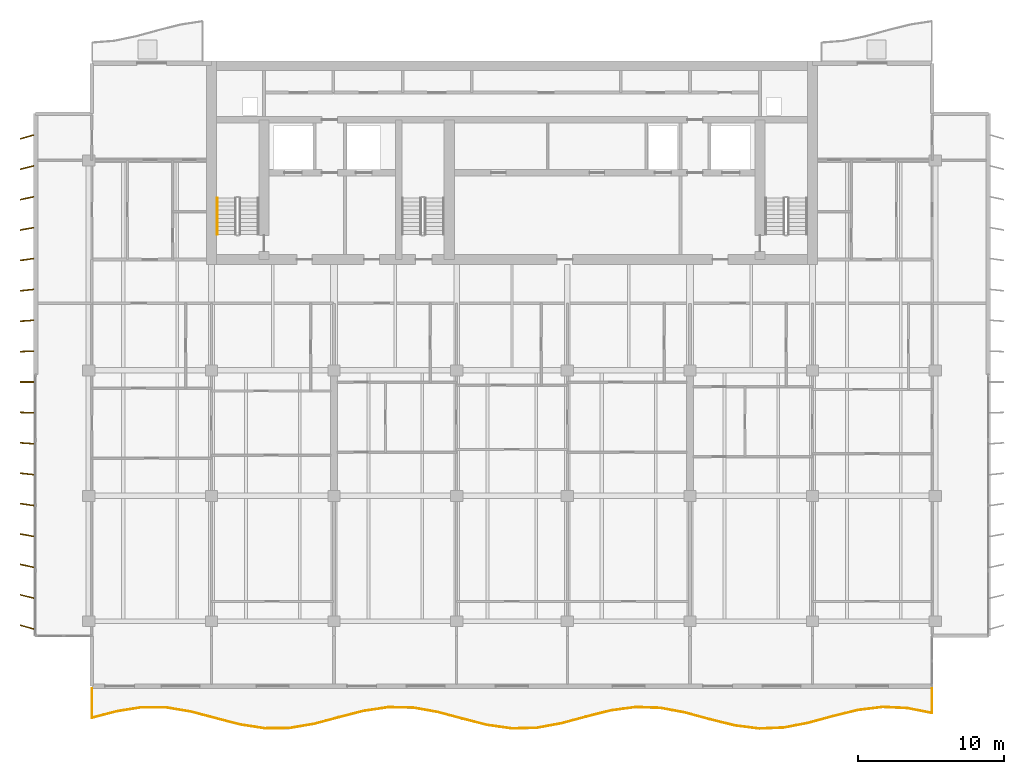
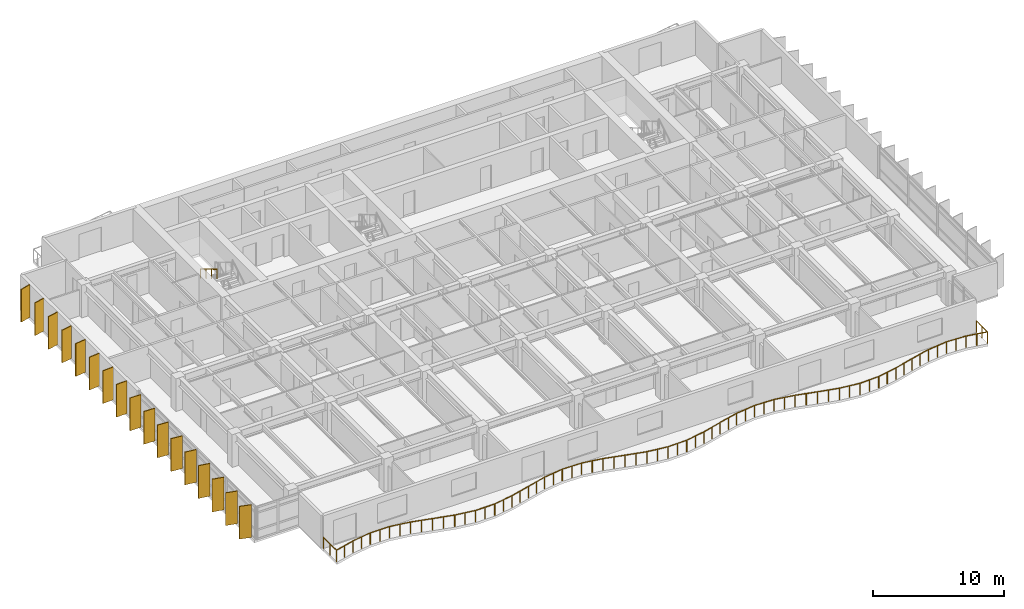
# One storey, part 14 of 17: 17 shading devices, 2 railings.
"""IFC4 building model written with IfcOpenShell, lengths in metres."""

from ifc_helpers import new_model, si_unit, direction, frame, origin, origin_2d, place, context, subcontext, project, spatial, rectangle, circle, extrude, material, material_profile, profile_set, type_object, element, save


model = new_model("IFC4")

# Units and contexts
model_context = context("Model", 3, precision=1e-05, world=origin(), true_north=direction((0.0, 1.0)))
body_context = subcontext(model_context, "Body", "Model", "MODEL_VIEW")
ifc_project = project(units=[si_unit("LENGTHUNIT", "METRE"), si_unit("AREAUNIT", "SQUARE_METRE"), si_unit("VOLUMEUNIT", "CUBIC_METRE"), si_unit("PLANEANGLEUNIT", "RADIAN"), si_unit("MASSUNIT", "GRAM", prefix="KILO")], contexts=[model_context])

# Site, building, storey
site_placement = place(None, origin())
site = spatial("IfcSite", under=ifc_project, at=site_placement, CompositionType="ELEMENT")
building_placement = place(site_placement, origin())
building = spatial("IfcBuilding", under=site, at=building_placement, Name="Caelmar Bay Residences", CompositionType="ELEMENT")
storey_placement = place(building_placement, frame((0.0, 0.0, 208.199951171875)))
storey = spatial("IfcBuildingStorey", under=building, at=storey_placement, Name="L58", CompositionType="ELEMENT", Elevation=208.199951171875)

# Railings
ifc_material_1 = material(Name="Anodised bronze handrail with laminated hurricane glass infill", Category="glass")
railing_type_1 = type_object("IfcRailingType", Name="RL-BAL-1100", PredefinedType="BALUSTRADE", material=ifc_material_1)
railing_1_placement = place(storey_placement, frame((10.10009765625, 7.60009765625, 0.0)))
element("IfcRailing", 1, at=railing_1_placement, inside=storey, type_object=railing_type_1, Name="L58 south Balcony Balustrade", PredefinedType="BALUSTRADE", context=body_context, shape_type="SweptSolid", body=[
    extrude(circle(Radius=0.02392578125, at=origin_2d()), frame((0.0, 0.0, 1.076171875), z_axis=(0.0, -1.0, 0.0), x_axis=(1.0, 0.0, 0.0)), (0.0, 0.0, 1.0), 2.02001953125),
    extrude(circle(Radius=0.02392578125, at=origin_2d()), frame((0.0, -2.02001953125, 1.076171875), z_axis=(0.967350254707, 0.253443257394, 0.0), x_axis=(-0.253443257394, 0.967350254707, 0.0)), (0.0, 0.0, 1.0), 1.751220703125),
    extrude(circle(Radius=0.02392578125, at=origin_2d()), frame((1.694091796875, -1.576171875, 1.076171875), z_axis=(0.987379289036, 0.158373418172, 0.0), x_axis=(-0.158373418172, 0.987379289036, 0.0)), (0.0, 0.0, 1.0), 1.7158203125),
    extrude(circle(Radius=0.02392578125, at=origin_2d()), frame((3.38818359375, -1.304443359375, 1.076171875), z_axis=(0.999993509891, -0.003602801232, 0.0), x_axis=(0.003602801232, 0.999993509891, 0.0)), (0.0, 0.0, 1.0), 1.694091796875),
    extrude(circle(Radius=0.02392578125, at=origin_2d()), frame((5.082275390625, -1.310546875, 1.076171875), z_axis=(0.986451495843, -0.164053181467, 0.0), x_axis=(0.164053181467, 0.986451495843, 0.0)), (0.0, 0.0, 1.0), 1.71728515625),
    extrude(circle(Radius=0.02392578125, at=origin_2d()), frame((6.7763671875, -1.59228515625, 1.076171875), z_axis=(0.966835874716, -0.255398495223, 0.0), x_axis=(0.255398495223, 0.966835874716, 0.0)), (0.0, 0.0, 1.0), 1.752197265625),
    extrude(circle(Radius=0.02392578125, at=origin_2d()), frame((8.470458984375, -2.039794921875, 1.076171875), z_axis=(0.967861219829, -0.251484908395, 0.0), x_axis=(0.251484908395, 0.967861219829, 0.0)), (0.0, 0.0, 1.0), 1.750244140625),
    extrude(circle(Radius=0.02392578125, at=origin_2d()), frame((10.16455078125, -2.47998046875, 1.076171875), z_axis=(0.988297485598, -0.152538781824, 0.0), x_axis=(0.152538781824, 0.988297485598, 0.0)), (0.0, 0.0, 1.0), 1.714111328125),
    extrude(circle(Radius=0.02392578125, at=origin_2d()), frame((11.858642578125, -2.741455078125, 1.076171875), z_axis=(0.999940025817, 0.010951929956, 0.0), x_axis=(-0.010951929956, 0.999940025817, 0.0)), (0.0, 0.0, 1.0), 1.694091796875),
    extrude(circle(Radius=0.02392578125, at=origin_2d()), frame((13.552734375, -2.722900390625, 1.076171875), z_axis=(0.985544445264, 0.169417078271, 0.0), x_axis=(-0.169417078271, 0.985544445264, 0.0)), (0.0, 0.0, 1.0), 1.71923828125),
    extrude(circle(Radius=0.02392578125, at=origin_2d()), frame((15.2470703125, -2.431640625, 1.076171875), z_axis=(0.966318097906, 0.257350604544, 0.0), x_axis=(-0.257350604544, 0.966318097906, 0.0)), (0.0, 0.0, 1.0), 1.753173828125),
    extrude(circle(Radius=0.02392578125, at=origin_2d()), frame((16.941162109375, -1.98046875, 1.076171875), z_axis=(0.968469845036, 0.249130807521, 0.0), x_axis=(-0.249130807521, 0.968469845036, 0.0)), (0.0, 0.0, 1.0), 1.749267578125),
    extrude(circle(Radius=0.02392578125, at=origin_2d()), frame((18.63525390625, -1.544677734375, 1.076171875), z_axis=(0.989203462354, 0.146548661089, 0.0), x_axis=(-0.146548661089, 0.989203462354, 0.0)), (0.0, 0.0, 1.0), 1.712646484375),
    extrude(circle(Radius=0.02392578125, at=origin_2d()), frame((20.329345703125, -1.293701171875, 1.076171875), z_axis=(0.999835179989, -0.018155243216, 0.0), x_axis=(0.018155243216, 0.999835179989, 0.0)), (0.0, 0.0, 1.0), 1.6943359375),
    extrude(circle(Radius=0.02392578125, at=origin_2d()), frame((22.0234375, -1.324462890625, 1.076171875), z_axis=(0.98460160759, -0.174813255592, 0.0), x_axis=(0.174813255592, 0.98460160759, 0.0)), (0.0, 0.0, 1.0), 1.720703125),
    extrude(circle(Radius=0.02392578125, at=origin_2d()), frame((23.717529296875, -1.625244140625, 1.076171875), z_axis=(0.96590144292, -0.258910027934, 0.0), x_axis=(0.258910027934, 0.96590144292, 0.0)), (0.0, 0.0, 1.0), 1.75390625),
    extrude(circle(Radius=0.02392578125, at=origin_2d()), frame((25.41162109375, -2.079345703125, 1.076171875), z_axis=(0.969106885695, -0.246641124101, 0.0), x_axis=(0.246641124101, 0.969106885695, 0.0)), (0.0, 0.0, 1.0), 1.748046875),
    extrude(circle(Radius=0.02392578125, at=origin_2d()), frame((27.105712890625, -2.510498046875, 1.076171875), z_axis=(0.990054800784, -0.140682235707, 0.0), x_axis=(0.140682235707, 0.990054800784, 0.0)), (0.0, 0.0, 1.0), 1.711181640625),
    extrude(circle(Radius=0.02392578125, at=origin_2d()), frame((28.7998046875, -2.751220703125, 1.076171875), z_axis=(0.999678491779, 0.025355730588, 0.0), x_axis=(-0.025355730588, 0.999678491779, 0.0)), (0.0, 0.0, 1.0), 1.694580078125),
    extrude(circle(Radius=0.02392578125, at=origin_2d()), frame((30.493896484375, -2.708251953125, 1.076171875), z_axis=(0.983635459479, 0.180170149733, 0.0), x_axis=(-0.180170149733, 0.983635459479, 0.0)), (0.0, 0.0, 1.0), 1.72216796875),
    extrude(circle(Radius=0.02392578125, at=origin_2d()), frame((32.18798828125, -2.39794921875, 1.076171875), z_axis=(0.965492072584, 0.260432443786, 0.0), x_axis=(-0.260432443786, 0.965492072584, 0.0)), (0.0, 0.0, 1.0), 1.7548828125),
    extrude(circle(Radius=0.02392578125, at=origin_2d()), frame((33.88232421875, -1.94091796875, 1.076171875), z_axis=(0.969804491573, 0.243883677446, 0.0), x_axis=(-0.243883677446, 0.969804491573, 0.0)), (0.0, 0.0, 1.0), 1.746826171875),
    extrude(circle(Radius=0.02392578125, at=origin_2d()), frame((35.576416015625, -1.514892578125, 1.076171875), z_axis=(0.990910806359, 0.134520533159, 0.0), x_axis=(-0.134520533159, 0.990910806359, 0.0)), (0.0, 0.0, 1.0), 1.709716796875),
    extrude(circle(Radius=0.02392578125, at=origin_2d()), frame((37.2705078125, -1.284912109375, 1.076171875), z_axis=(0.999470034304, -0.032552273779, 0.0), x_axis=(0.032552273779, 0.999470034304, 0.0)), (0.0, 0.0, 1.0), 1.695068359375),
    extrude(circle(Radius=0.02392578125, at=origin_2d()), frame((38.964599609375, -1.340087890625, 1.076171875), z_axis=(0.982693769792, -0.185237563177, 0.0), x_axis=(0.185237563177, 0.982693769792, 0.0)), (0.0, 0.0, 1.0), 1.723876953125),
    extrude(circle(Radius=0.02392578125, at=origin_2d()), frame((40.65869140625, -1.659423828125, 1.076171875), z_axis=(0.965131990185, -0.261763713147, 0.0), x_axis=(0.261763713147, 0.965131990185, 0.0)), (0.0, 0.0, 1.0), 1.75537109375),
    extrude(circle(Radius=0.02392578125, at=origin_2d()), frame((42.352783203125, -2.118896484375, 1.076171875), z_axis=(0.970503363819, -0.241087579139, 0.0), x_axis=(0.241087579139, 0.970503363819, 0.0)), (0.0, 0.0, 1.0), 1.745849609375),
    extrude(circle(Radius=0.02392578125, at=origin_2d()), frame((44.047119140625, -2.539794921875, 1.076171875), z_axis=(0.991729815207, -0.128343186923, 0.0), x_axis=(0.128343186923, 0.991729815207, 0.0)), (0.0, 0.0, 1.0), 1.708251953125),
    extrude(circle(Radius=0.02392578125, at=origin_2d()), frame((45.7412109375, -2.759033203125, 1.076171875), z_axis=(0.999204175887, 0.03988752799, 0.0), x_axis=(-0.03988752799, 0.999204175887, 0.0)), (0.0, 0.0, 1.0), 1.695556640625),
    extrude(circle(Radius=0.02392578125, at=origin_2d()), frame((47.435302734375, -2.69140625, 1.076171875), z_axis=(0.981754298051, 0.19015388047, 0.0), x_axis=(-0.19015388047, 0.981754298051, 0.0)), (0.0, 0.0, 1.0), 1.7255859375),
    extrude(circle(Radius=0.02392578125, at=origin_2d()), frame((49.12939453125, -2.36328125, 1.076171875), z_axis=(0.964850406209, 0.262799721535, 0.0), x_axis=(-0.262799721535, 0.964850406209, 0.0)), (0.0, 0.0, 1.0), 1.755859375),
    extrude(circle(Radius=0.02392578125, at=origin_2d()), frame((50.823486328125, -1.90185546875, 1.076171875), z_axis=(0.971211455087, 0.238219036829, 0.0), x_axis=(-0.238219036829, 0.971211455087, 0.0)), (0.0, 0.0, 1.0), 1.744384765625),
    extrude(circle(Radius=0.02392578125, at=origin_2d()), frame((52.517578125, -1.486328125, 1.076171875), z_axis=(0.992528875656, 0.122009962665, 0.0), x_axis=(-0.122009962665, 0.992528875656, 0.0)), (0.0, 0.0, 1.0), 1.706787109375),
    extrude(circle(Radius=0.02392578125, at=origin_2d()), frame((54.211669921875, -1.278076171875, 1.076171875), z_axis=(0.998891465735, -0.04707270634, 0.0), x_axis=(0.04707270634, 0.998891465735, 0.0)), (0.0, 0.0, 1.0), 1.696044921875),
    extrude(circle(Radius=0.02392578125, at=origin_2d()), frame((55.90576171875, -1.35791015625, 1.076171875), z_axis=(0.980819151904, -0.194919961158, 0.0), x_axis=(0.194919961158, 0.980819151904, 0.0)), (0.0, 0.0, 1.0), 1.727294921875),
    extrude(circle(Radius=0.02392578125, at=origin_2d()), frame((57.599853515625, -1.694580078125, 1.076171875), z_axis=(0.0, 1.0, 0.0), x_axis=(-1.0, 0.0, 0.0)), (0.0, 0.0, 1.0), 1.694580078125),
    extrude(circle(Radius=0.02099609375, at=origin_2d()), origin(), (0.0, 0.0, 1.0), 1.052001953125),
    extrude(circle(Radius=0.02099609375, at=origin_2d()), frame((0.0, -1.010009765625, 0.0)), (0.0, 0.0, 1.0), 1.052001953125),
    extrude(circle(Radius=0.02099609375, at=origin_2d()), frame((0.0, -2.02001953125, 0.0)), (0.0, 0.0, 1.0), 1.052001953125),
    extrude(circle(Radius=0.02099609375, at=origin_2d()), frame((0.84716796875, -1.798095703125, 0.0)), (0.0, 0.0, 1.0), 1.052001953125),
    extrude(circle(Radius=0.02099609375, at=origin_2d()), frame((1.694091796875, -1.576171875, 0.0)), (0.0, 0.0, 1.0), 1.052001953125),
    extrude(circle(Radius=0.02099609375, at=origin_2d()), frame((2.541015625, -1.4404296875, 0.0)), (0.0, 0.0, 1.0), 1.052001953125),
    extrude(circle(Radius=0.02099609375, at=origin_2d()), frame((3.38818359375, -1.304443359375, 0.0)), (0.0, 0.0, 1.0), 1.052001953125),
    extrude(circle(Radius=0.02099609375, at=origin_2d()), frame((4.2353515625, -1.3076171875, 0.0)), (0.0, 0.0, 1.0), 1.052001953125),
    extrude(circle(Radius=0.02099609375, at=origin_2d()), frame((5.082275390625, -1.310546875, 0.0)), (0.0, 0.0, 1.0), 1.052001953125),
    extrude(circle(Radius=0.02099609375, at=origin_2d()), frame((5.92919921875, -1.451416015625, 0.0)), (0.0, 0.0, 1.0), 1.052001953125),
    extrude(circle(Radius=0.02099609375, at=origin_2d()), frame((6.7763671875, -1.59228515625, 0.0)), (0.0, 0.0, 1.0), 1.052001953125),
    extrude(circle(Radius=0.02099609375, at=origin_2d()), frame((7.62353515625, -1.81591796875, 0.0)), (0.0, 0.0, 1.0), 1.052001953125),
    extrude(circle(Radius=0.02099609375, at=origin_2d()), frame((8.470458984375, -2.039794921875, 0.0)), (0.0, 0.0, 1.0), 1.052001953125),
    extrude(circle(Radius=0.02099609375, at=origin_2d()), frame((9.3173828125, -2.259765625, 0.0)), (0.0, 0.0, 1.0), 1.052001953125),
    extrude(circle(Radius=0.02099609375, at=origin_2d()), frame((10.16455078125, -2.47998046875, 0.0)), (0.0, 0.0, 1.0), 1.052001953125),
    extrude(circle(Radius=0.02099609375, at=origin_2d()), frame((11.01171875, -2.61083984375, 0.0)), (0.0, 0.0, 1.0), 1.052001953125),
    extrude(circle(Radius=0.02099609375, at=origin_2d()), frame((11.858642578125, -2.741455078125, 0.0)), (0.0, 0.0, 1.0), 1.052001953125),
    extrude(circle(Radius=0.02099609375, at=origin_2d()), frame((12.70556640625, -2.732177734375, 0.0)), (0.0, 0.0, 1.0), 1.052001953125),
    extrude(circle(Radius=0.02099609375, at=origin_2d()), frame((13.552734375, -2.722900390625, 0.0)), (0.0, 0.0, 1.0), 1.052001953125),
    extrude(circle(Radius=0.02099609375, at=origin_2d()), frame((14.39990234375, -2.5771484375, 0.0)), (0.0, 0.0, 1.0), 1.052001953125),
    extrude(circle(Radius=0.02099609375, at=origin_2d()), frame((15.2470703125, -2.431640625, 0.0)), (0.0, 0.0, 1.0), 1.052001953125),
    extrude(circle(Radius=0.02099609375, at=origin_2d()), frame((16.09423828125, -2.2060546875, 0.0)), (0.0, 0.0, 1.0), 1.052001953125),
    extrude(circle(Radius=0.02099609375, at=origin_2d()), frame((16.941162109375, -1.98046875, 0.0)), (0.0, 0.0, 1.0), 1.052001953125),
    extrude(circle(Radius=0.02099609375, at=origin_2d()), frame((17.7880859375, -1.7626953125, 0.0)), (0.0, 0.0, 1.0), 1.052001953125),
    extrude(circle(Radius=0.02099609375, at=origin_2d()), frame((18.63525390625, -1.544677734375, 0.0)), (0.0, 0.0, 1.0), 1.052001953125),
    extrude(circle(Radius=0.02099609375, at=origin_2d()), frame((19.482421875, -1.419189453125, 0.0)), (0.0, 0.0, 1.0), 1.052001953125),
    extrude(circle(Radius=0.02099609375, at=origin_2d()), frame((20.329345703125, -1.293701171875, 0.0)), (0.0, 0.0, 1.0), 1.052001953125),
    extrude(circle(Radius=0.02099609375, at=origin_2d()), frame((21.17626953125, -1.30908203125, 0.0)), (0.0, 0.0, 1.0), 1.052001953125),
    extrude(circle(Radius=0.02099609375, at=origin_2d()), frame((22.0234375, -1.324462890625, 0.0)), (0.0, 0.0, 1.0), 1.052001953125),
    extrude(circle(Radius=0.02099609375, at=origin_2d()), frame((22.87060546875, -1.474853515625, 0.0)), (0.0, 0.0, 1.0), 1.052001953125),
    extrude(circle(Radius=0.02099609375, at=origin_2d()), frame((23.717529296875, -1.625244140625, 0.0)), (0.0, 0.0, 1.0), 1.052001953125),
    extrude(circle(Radius=0.02099609375, at=origin_2d()), frame((24.564453125, -1.852294921875, 0.0)), (0.0, 0.0, 1.0), 1.052001953125),
    extrude(circle(Radius=0.02099609375, at=origin_2d()), frame((25.41162109375, -2.079345703125, 0.0)), (0.0, 0.0, 1.0), 1.052001953125),
    extrude(circle(Radius=0.02099609375, at=origin_2d()), frame((26.2587890625, -2.294921875, 0.0)), (0.0, 0.0, 1.0), 1.052001953125),
    extrude(circle(Radius=0.02099609375, at=origin_2d()), frame((27.105712890625, -2.510498046875, 0.0)), (0.0, 0.0, 1.0), 1.052001953125),
    extrude(circle(Radius=0.02099609375, at=origin_2d()), frame((27.95263671875, -2.630859375, 0.0)), (0.0, 0.0, 1.0), 1.052001953125),
    extrude(circle(Radius=0.02099609375, at=origin_2d()), frame((28.7998046875, -2.751220703125, 0.0)), (0.0, 0.0, 1.0), 1.052001953125),
    extrude(circle(Radius=0.02099609375, at=origin_2d()), frame((29.64697265625, -2.729736328125, 0.0)), (0.0, 0.0, 1.0), 1.052001953125),
    extrude(circle(Radius=0.02099609375, at=origin_2d()), frame((30.493896484375, -2.708251953125, 0.0)), (0.0, 0.0, 1.0), 1.052001953125),
    extrude(circle(Radius=0.02099609375, at=origin_2d()), frame((31.3408203125, -2.55322265625, 0.0)), (0.0, 0.0, 1.0), 1.052001953125),
    extrude(circle(Radius=0.02099609375, at=origin_2d()), frame((32.18798828125, -2.39794921875, 0.0)), (0.0, 0.0, 1.0), 1.052001953125),
    extrude(circle(Radius=0.02099609375, at=origin_2d()), frame((33.03515625, -2.16943359375, 0.0)), (0.0, 0.0, 1.0), 1.052001953125),
    extrude(circle(Radius=0.02099609375, at=origin_2d()), frame((33.88232421875, -1.94091796875, 0.0)), (0.0, 0.0, 1.0), 1.052001953125),
    extrude(circle(Radius=0.02099609375, at=origin_2d()), frame((34.7294921875, -1.72802734375, 0.0)), (0.0, 0.0, 1.0), 1.052001953125),
    extrude(circle(Radius=0.02099609375, at=origin_2d()), frame((35.576416015625, -1.514892578125, 0.0)), (0.0, 0.0, 1.0), 1.052001953125),
    extrude(circle(Radius=0.02099609375, at=origin_2d()), frame((36.42333984375, -1.39990234375, 0.0)), (0.0, 0.0, 1.0), 1.052001953125),
    extrude(circle(Radius=0.02099609375, at=origin_2d()), frame((37.2705078125, -1.284912109375, 0.0)), (0.0, 0.0, 1.0), 1.052001953125),
    extrude(circle(Radius=0.02099609375, at=origin_2d()), frame((38.11767578125, -1.3125, 0.0)), (0.0, 0.0, 1.0), 1.052001953125),
    extrude(circle(Radius=0.02099609375, at=origin_2d()), frame((38.964599609375, -1.340087890625, 0.0)), (0.0, 0.0, 1.0), 1.052001953125),
    extrude(circle(Radius=0.02099609375, at=origin_2d()), frame((39.8115234375, -1.499755859375, 0.0)), (0.0, 0.0, 1.0), 1.052001953125),
    extrude(circle(Radius=0.02099609375, at=origin_2d()), frame((40.65869140625, -1.659423828125, 0.0)), (0.0, 0.0, 1.0), 1.052001953125),
    extrude(circle(Radius=0.02099609375, at=origin_2d()), frame((41.505859375, -1.88916015625, 0.0)), (0.0, 0.0, 1.0), 1.052001953125),
    extrude(circle(Radius=0.02099609375, at=origin_2d()), frame((42.352783203125, -2.118896484375, 0.0)), (0.0, 0.0, 1.0), 1.052001953125),
    extrude(circle(Radius=0.02099609375, at=origin_2d()), frame((43.199951171875, -2.329345703125, 0.0)), (0.0, 0.0, 1.0), 1.052001953125),
    extrude(circle(Radius=0.02099609375, at=origin_2d()), frame((44.047119140625, -2.539794921875, 0.0)), (0.0, 0.0, 1.0), 1.052001953125),
    extrude(circle(Radius=0.02099609375, at=origin_2d()), frame((44.89404296875, -2.6494140625, 0.0)), (0.0, 0.0, 1.0), 1.052001953125),
    extrude(circle(Radius=0.02099609375, at=origin_2d()), frame((45.7412109375, -2.759033203125, 0.0)), (0.0, 0.0, 1.0), 1.052001953125),
    extrude(circle(Radius=0.02099609375, at=origin_2d()), frame((46.58837890625, -2.72509765625, 0.0)), (0.0, 0.0, 1.0), 1.052001953125),
    extrude(circle(Radius=0.02099609375, at=origin_2d()), frame((47.435302734375, -2.69140625, 0.0)), (0.0, 0.0, 1.0), 1.052001953125),
    extrude(circle(Radius=0.02099609375, at=origin_2d()), frame((48.2822265625, -2.52734375, 0.0)), (0.0, 0.0, 1.0), 1.052001953125),
    extrude(circle(Radius=0.02099609375, at=origin_2d()), frame((49.12939453125, -2.36328125, 0.0)), (0.0, 0.0, 1.0), 1.052001953125),
    extrude(circle(Radius=0.02099609375, at=origin_2d()), frame((49.9765625, -2.132568359375, 0.0)), (0.0, 0.0, 1.0), 1.052001953125),
    extrude(circle(Radius=0.02099609375, at=origin_2d()), frame((50.823486328125, -1.90185546875, 0.0)), (0.0, 0.0, 1.0), 1.052001953125),
    extrude(circle(Radius=0.02099609375, at=origin_2d()), frame((51.67041015625, -1.694091796875, 0.0)), (0.0, 0.0, 1.0), 1.052001953125),
    extrude(circle(Radius=0.02099609375, at=origin_2d()), frame((52.517578125, -1.486328125, 0.0)), (0.0, 0.0, 1.0), 1.052001953125),
    extrude(circle(Radius=0.02099609375, at=origin_2d()), frame((53.36474609375, -1.38232421875, 0.0)), (0.0, 0.0, 1.0), 1.052001953125),
    extrude(circle(Radius=0.02099609375, at=origin_2d()), frame((54.211669921875, -1.278076171875, 0.0)), (0.0, 0.0, 1.0), 1.052001953125),
    extrude(circle(Radius=0.02099609375, at=origin_2d()), frame((55.05859375, -1.31787109375, 0.0)), (0.0, 0.0, 1.0), 1.052001953125),
    extrude(circle(Radius=0.02099609375, at=origin_2d()), frame((55.90576171875, -1.35791015625, 0.0)), (0.0, 0.0, 1.0), 1.052001953125),
    extrude(circle(Radius=0.02099609375, at=origin_2d()), frame((56.7529296875, -1.5263671875, 0.0)), (0.0, 0.0, 1.0), 1.052001953125),
    extrude(circle(Radius=0.02099609375, at=origin_2d()), frame((57.599853515625, -1.694580078125, 0.0)), (0.0, 0.0, 1.0), 1.052001953125),
    extrude(circle(Radius=0.02099609375, at=origin_2d()), frame((57.599853515625, -0.84716796875, 0.0)), (0.0, 0.0, 1.0), 1.052001953125),
    extrude(circle(Radius=0.02099609375, at=origin_2d()), frame((57.599853515625, 0.0, 0.0)), (0.0, 0.0, 1.0), 1.052001953125),
])
ifc_material_2 = material(Name="Brushed bronze stainless-steel tubular handrail 900 mm", Category="steel")
railing_type_2 = type_object("IfcRailingType", Name="RL-HND-900", PredefinedType="HANDRAIL", material=ifc_material_2)
railing_2_placement = place(storey_placement, frame((18.699951171875, 41.219970703125, 1.81494140625)))
element("IfcRailing", 2, at=railing_2_placement, inside=storey, type_object=railing_type_2, Name="L58 ST1 stair handrail 2", PredefinedType="HANDRAIL", context=body_context, shape_type="SweptSolid", body=[
    extrude(circle(Radius=0.02392578125, at=origin_2d()), frame((0.0, 0.0, 0.8759765625), z_axis=(0.0, -0.86152411907, 0.507716645641), x_axis=(1.0, 0.0, 0.0)), (0.0, 0.0, 1.0), 2.925048828125),
    extrude(circle(Radius=0.02099609375, at=origin_2d()), origin(), (0.0, 0.0, 1.0), 0.851806640625),
    extrude(circle(Radius=0.02099609375, at=origin_2d()), frame((0.0, -0.840087890625, 0.4951171875)), (0.0, 0.0, 1.0), 0.851806640625),
    extrude(circle(Radius=0.02099609375, at=origin_2d()), frame((0.0, -1.679931640625, 0.989990234375)), (0.0, 0.0, 1.0), 0.851806640625),
    extrude(circle(Radius=0.02099609375, at=origin_2d()), frame((0.0, -2.52001953125, 1.485107421875)), (0.0, 0.0, 1.0), 0.851806640625),
])

# Shading devices
ifc_material_3 = material(Name="Anodised architectural bronze aluminium 6063-T6", Category="aluminium")
ifc_material_profile = material_profile(ifc_material_3, rectangle(XDim=0.074951171875, YDim=0.949951171875, at=origin_2d()), Name="BRONZE-FIN-75X950")
ifc_profile_set = profile_set([ifc_material_profile], Name="Anodised architectural bronze aluminium 6063-T6")
shading_device_type = type_object("IfcShadingDeviceType", Name="SHD-FIN-950", PredefinedType="USERDEFINED", material=ifc_profile_set)
for number, where, z_axis, x_axis, name in (
    (3, (5.64990234375, 11.800048828125, 0.0), (0.0, 0.0, 1.0), (0.275637355817, 0.961261695938, 0.0), "L58 West Bronze Solar Fin 1"),
    (4, (5.64990234375, 13.89990234375, 0.0), (0.0, 0.0, 1.0), (0.2419218956, 0.970295726276, 0.0), "L58 West Bronze Solar Fin 2"),
    (5, (5.64990234375, 16.0, 0.0), (0.0, 0.0, 1.0), (0.207911690818, 0.978147600734, 0.0), "L58 West Bronze Solar Fin 3"),
    (6, (5.64990234375, 18.10009765625, 0.0), (0.0, 0.0, 1.0), (0.173648177667, 0.984807753012, 0.0), "L58 West Bronze Solar Fin 4"),
    (7, (5.64990234375, 20.199951171875, 0.0), (0.0, 0.0, 1.0), (0.13917310096, 0.990268068742, 0.0), "L58 West Bronze Solar Fin 5"),
    (8, (5.64990234375, 22.300048828125, 0.0), (0.0, 0.0, 1.0), (0.104528463268, 0.994521895368, 0.0), "L58 West Bronze Solar Fin 6"),
    (9, (5.64990234375, 24.39990234375, 0.0), (0.0, 0.0, 1.0), (0.069756473744, 0.99756405026, 0.0), "L58 West Bronze Solar Fin 7"),
    (10, (5.64990234375, 26.5, 0.0), (0.0, 0.0, 1.0), (0.034899496703, 0.999390827019, 0.0), "L58 West Bronze Solar Fin 8"),
    (11, (5.64990234375, 28.60009765625, 0.0), (0.0, 0.0, 1.0), (0.0, 1.0, 0.0), "L58 West Bronze Solar Fin 9"),
    (12, (5.64990234375, 30.699951171875, 0.0), (0.0, 0.0, 1.0), (-0.034899496703, 0.999390827019, 0.0), "L58 West Bronze Solar Fin 10"),
    (13, (5.64990234375, 32.800048828125, 0.0), (0.0, 0.0, 1.0), (-0.069756473744, 0.99756405026, 0.0), "L58 West Bronze Solar Fin 11"),
    (14, (5.64990234375, 34.89990234375, 0.0), (0.0, 0.0, 1.0), (-0.104528463268, 0.994521895368, 0.0), "L58 West Bronze Solar Fin 12"),
    (15, (5.64990234375, 37.0, 0.0), (0.0, 0.0, 1.0), (-0.13917310096, 0.990268068742, 0.0), "L58 West Bronze Solar Fin 13"),
    (16, (5.64990234375, 39.10009765625, 0.0), (0.0, 0.0, 1.0), (-0.173648177667, 0.984807753012, 0.0), "L58 West Bronze Solar Fin 14"),
    (17, (5.64990234375, 41.199951171875, 0.0), (0.0, 0.0, 1.0), (-0.207911690818, 0.978147600734, 0.0), "L58 West Bronze Solar Fin 15"),
    (18, (5.64990234375, 43.300048828125, 0.0), (0.0, 0.0, 1.0), (-0.2419218956, 0.970295726276, 0.0), "L58 West Bronze Solar Fin 16"),
    (19, (5.64990234375, 45.39990234375, 0.0), (0.0, 0.0, 1.0), (-0.275637355817, 0.961261695938, 0.0), "L58 West Bronze Solar Fin 17"),
):
    element("IfcShadingDevice", number, at=place(storey_placement, frame(where, z_axis=z_axis, x_axis=x_axis)), inside=storey, type_object=shading_device_type, Name=name, ObjectType="FIN", PredefinedType="USERDEFINED", context=body_context, shape_type="SweptSolid", body=[
        extrude(rectangle(XDim=0.074951171875, YDim=0.949951171875, at=origin_2d()), origin(), (0.0, 0.0, 1.0), 3.050048828125),
    ])

save(model, "model.ifc")
